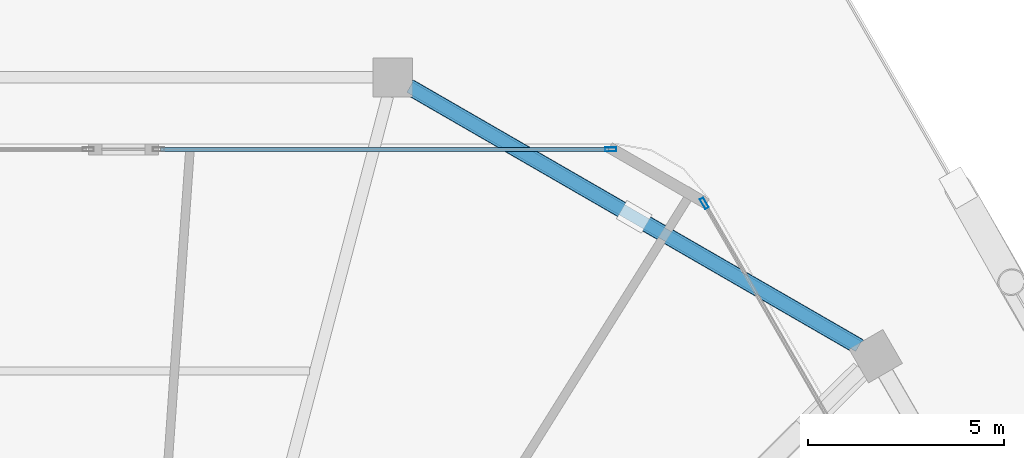
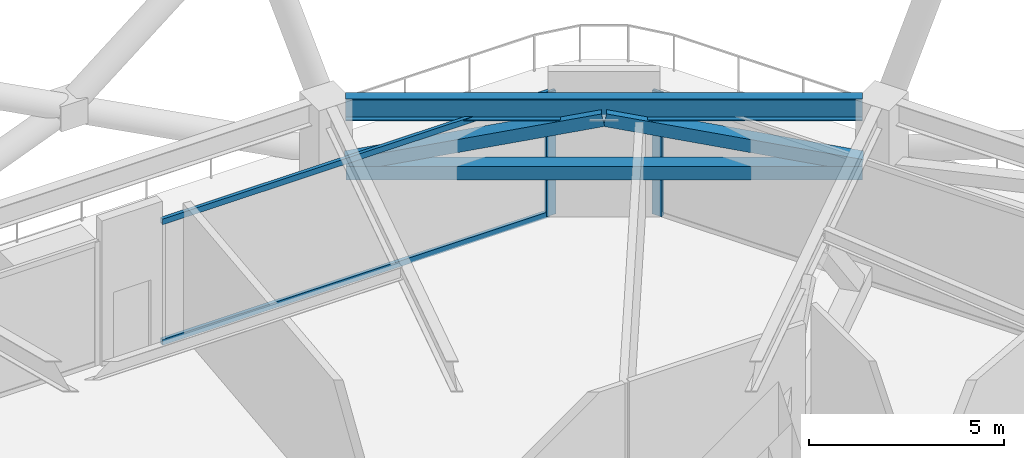
# One storey, part 11 of 20: 7 members, 1 beam, 2 elements without a shape of their own.
"""IFC4 building model written with IfcOpenShell, lengths in metres."""

from ifc_helpers import new_model, si_unit, direction, frame, origin, origin_2d, place, context, subcontext, project, spatial, hollow_rectangle, i_section, extrude, material, material_profile, profile_set, type_object, element, aggregate, save


model = new_model("IFC4")

# Units and contexts
model_context = context("Model", 3, precision=1e-05, world=origin(), true_north=direction((0.0, 1.0)))
body_context = subcontext(model_context, "Body", "Model", "MODEL_VIEW")
ifc_project = project(units=[si_unit("LENGTHUNIT", "METRE"), si_unit("AREAUNIT", "SQUARE_METRE"), si_unit("VOLUMEUNIT", "CUBIC_METRE"), si_unit("PLANEANGLEUNIT", "RADIAN"), si_unit("MASSUNIT", "GRAM", prefix="KILO")], contexts=[model_context])

# Site, building, storey
site_placement = place(None, origin())
site = spatial("IfcSite", under=ifc_project, at=site_placement, CompositionType="ELEMENT")
building_placement = place(site_placement, origin())
building = spatial("IfcBuilding", under=site, at=building_placement, Name="Zuhravey Tower", CompositionType="ELEMENT")
storey_placement = place(building_placement, frame((0.0, 0.0, 145.60009765625)))
storey = spatial("IfcBuildingStorey", under=building, at=storey_placement, Name="L36", CompositionType="ELEMENT", Elevation=145.60009765625)

# Members
ifc_material_1 = material(Name="Steel SM355", Category="steel")
ifc_material_profile_1 = material_profile(ifc_material_1, hollow_rectangle(XDim=0.419921875, YDim=0.419921875, WallThickness=0.028076171875, at=origin_2d()), Name="RHS-420x420x28")
ifc_profile_set_1 = profile_set([ifc_material_profile_1], Name="Steel SM355")
member_type_1 = type_object("IfcMemberType", Name="Belt Truss Chord RHS420x420", PredefinedType="CHORD", material=ifc_profile_set_1)
member_1_placement = place(storey_placement, frame((54.7880859375, 51.299072265625, 2.27001953125), z_axis=(-0.866022260515, 0.500005444263, 0.0), x_axis=(-0.500005444263, -0.866022260515, 0.0)))
element("IfcMember", 1, at=member_1_placement, inside=storey, type_object=member_type_1, Name="L36 Belt Truss Bottom Chord BTC1-02", PredefinedType="CHORD", context=body_context, shape_type="SweptSolid", body=[
    extrude(hollow_rectangle(XDim=0.419921875, YDim=0.419921875, WallThickness=0.028076171875, at=origin_2d()), origin(), (0.0, 0.0, 1.0), 13.242919921875),
])
ifc_material_profile_2 = material_profile(ifc_material_1, hollow_rectangle(XDim=0.39990234375, YDim=0.39990234375, WallThickness=0.02490234375, at=origin_2d()), Name="RHS-400x400x25")
ifc_profile_set_2 = profile_set([ifc_material_profile_2], Name="Steel SM355")
member_type_2 = type_object("IfcMemberType", Name="Belt Truss Diagonal RHS400x400", PredefinedType="BRACE", material=ifc_profile_set_2)
for number, where, z_axis, x_axis, name in (
    (2, (54.775390625, 51.306396484375, 2.4931640625), (-0.846240512643, 0.488593445156, 0.212493388395), (-0.500012477951, -0.866018199516, 0.0), "L36 Belt Truss Diagonal BTD1-02.1"),
    (3, (43.33203125, 57.913330078125, 2.4931640625), (0.846240512643, -0.488593445156, 0.212493388395), (0.500012477951, 0.866018199516, 0.0), "L36 Belt Truss Diagonal BTD1-02.2"),
):
    element("IfcMember", number, at=place(storey_placement, frame(where, z_axis=z_axis, x_axis=x_axis)), inside=storey, type_object=member_type_2, Name=name, PredefinedType="BRACE", context=body_context, shape_type="SweptSolid", body=[
        extrude(hollow_rectangle(XDim=0.39990234375, YDim=0.39990234375, WallThickness=0.02490234375, at=origin_2d()), origin(), (0.0, 0.0, 1.0), 6.736083984375),
    ])

# Curtain wall, member
ifc_material_2 = material(Name="Thermally broken anodised aluminium", Category="aluminium")
curtain_wall_type = type_object("IfcCurtainWallType", Name="Sky-Garden Tray Clerestory Curtain Wall CW5", PredefinedType="NOTDEFINED", material=ifc_material_2)
curtain_wall_1_placement = place(storey_placement, origin())
curtain_wall_1 = element("IfcCurtainWall", 4, at=curtain_wall_1_placement, inside=storey, type_object=curtain_wall_type, Name="L36 CW5 CW-L36-F2-2", PredefinedType="NOTDEFINED")
ifc_material_3 = material(Name="Anodised aluminium", Category="aluminium")
ifc_material_profile_3 = material_profile(ifc_material_3, hollow_rectangle(XDim=0.10009765625, YDim=0.2900390625, WallThickness=0.006103515625, at=origin_2d()), Name="ALU-RHS-100x290x6")
ifc_profile_set_3 = profile_set([ifc_material_profile_3], Name="Anodised aluminium")
member_type_3 = type_object("IfcMemberType", Name="Heavy Tall-Storey Mullion 100x220", PredefinedType="MULLION", material=ifc_profile_set_3)
member_2_placement = place(storey_placement, frame((48.454345703125, 56.3330078125, 0.0), z_axis=(0.0, 0.0, 1.0), x_axis=(0.0, 1.0, 0.0)))
member_2 = element("IfcMember", 5, at=member_2_placement, type_object=member_type_3, Name="CW5 mullion 2", PredefinedType="MULLION", context=body_context, shape_type="SweptSolid", body=[
    extrude(hollow_rectangle(XDim=0.10009765625, YDim=0.2900390625, WallThickness=0.006103515625, at=origin_2d()), origin(), (0.0, 0.0, 1.0), 3.869873046875),
])

curtain_wall_2_placement = place(storey_placement, origin())
curtain_wall_2 = element("IfcCurtainWall", 6, at=curtain_wall_2_placement, inside=storey, type_object=curtain_wall_type, Name="L36 CW5 CW-L36-F1-1", PredefinedType="NOTDEFINED")
member_3_placement = place(storey_placement, frame((50.845947265625, 54.952392578125, 0.0), z_axis=(0.0, 0.0, 1.0), x_axis=(0.866026835431, 0.499997520307, 0.0)))
member_3 = element("IfcMember", 7, at=member_3_placement, type_object=member_type_3, Name="CW5 mullion 1", PredefinedType="MULLION", context=body_context, shape_type="SweptSolid", body=[
    extrude(hollow_rectangle(XDim=0.10009765625, YDim=0.2900390625, WallThickness=0.006103515625, at=origin_2d()), origin(), (0.0, 0.0, 1.0), 3.869873046875),
])
aggregate(curtain_wall_2, [member_3])

# Beam
ifc_material_profile_4 = material_profile(ifc_material_1, i_section(OverallWidth=0.300048828125, OverallDepth=0.679931640625, WebThickness=0.012939453125, FlangeThickness=0.02197265625, at=origin_2d()), Name="H-680x300x13x22")
ifc_profile_set_4 = profile_set([ifc_material_profile_4], Name="Steel SM355")
beam_type = type_object("IfcBeamType", Name="Perimeter Ring Beam H680x300", PredefinedType="BEAM", material=ifc_profile_set_4)
beam_placement = place(storey_placement, frame((54.789794921875, 51.298095703125, 4.2099609375), z_axis=(-0.866022923061, 0.500004296715, 0.0), x_axis=(-0.500004296715, -0.866022923061, 0.0)))
element("IfcBeam", 8, at=beam_placement, inside=storey, type_object=beam_type, Name="L36 PB2 BM-L36-PB-02", PredefinedType="BEAM", context=body_context, shape_type="SweptSolid", body=[
    extrude(i_section(OverallWidth=0.300048828125, OverallDepth=0.679931640625, WebThickness=0.012939453125, FlangeThickness=0.02197265625, at=origin_2d()), origin(), (0.0, 0.0, 1.0), 13.2470703125),
])

# Member
ifc_material_profile_5 = material_profile(ifc_material_3, hollow_rectangle(XDim=0.10009765625, YDim=0.179931640625, WallThickness=0.006103515625, at=origin_2d()), Name="ALU-RHS-100x180x6")
ifc_profile_set_5 = profile_set([ifc_material_profile_5], Name="Anodised aluminium")
member_type_4 = type_object("IfcMemberType", Name="Tall-Storey Transom 100x180", PredefinedType="USERDEFINED", material=ifc_profile_set_5)
member_4_placement = place(storey_placement, frame((36.949951171875, 56.3330078125, 0.0498046875), z_axis=(1.0, 0.0, 0.0), x_axis=(0.0, 1.0, 0.0)))
member_4 = element("IfcMember", 9, at=member_4_placement, type_object=member_type_4, Name="CW5 transom 1.1", ObjectType="TRANSOM", PredefinedType="USERDEFINED", context=body_context, shape_type="SweptSolid", body=[
    extrude(hollow_rectangle(XDim=0.10009765625, YDim=0.179931640625, WallThickness=0.006103515625, at=origin_2d()), origin(), (0.0, 0.0, 1.0), 11.454345703125),
])

member_5_placement = place(storey_placement, frame((36.949951171875, 56.3330078125, 3.81982421875), z_axis=(1.0, 0.0, 0.0), x_axis=(0.0, 1.0, 0.0)))
member_5 = element("IfcMember", 10, at=member_5_placement, type_object=member_type_4, Name="CW5 transom 1.2", ObjectType="TRANSOM", PredefinedType="USERDEFINED", context=body_context, shape_type="SweptSolid", body=[
    extrude(hollow_rectangle(XDim=0.10009765625, YDim=0.179931640625, WallThickness=0.006103515625, at=origin_2d()), origin(), (0.0, 0.0, 1.0), 11.454345703125),
])

aggregate(curtain_wall_1, [member_2, member_4, member_5])

save(model, "model.ifc")
